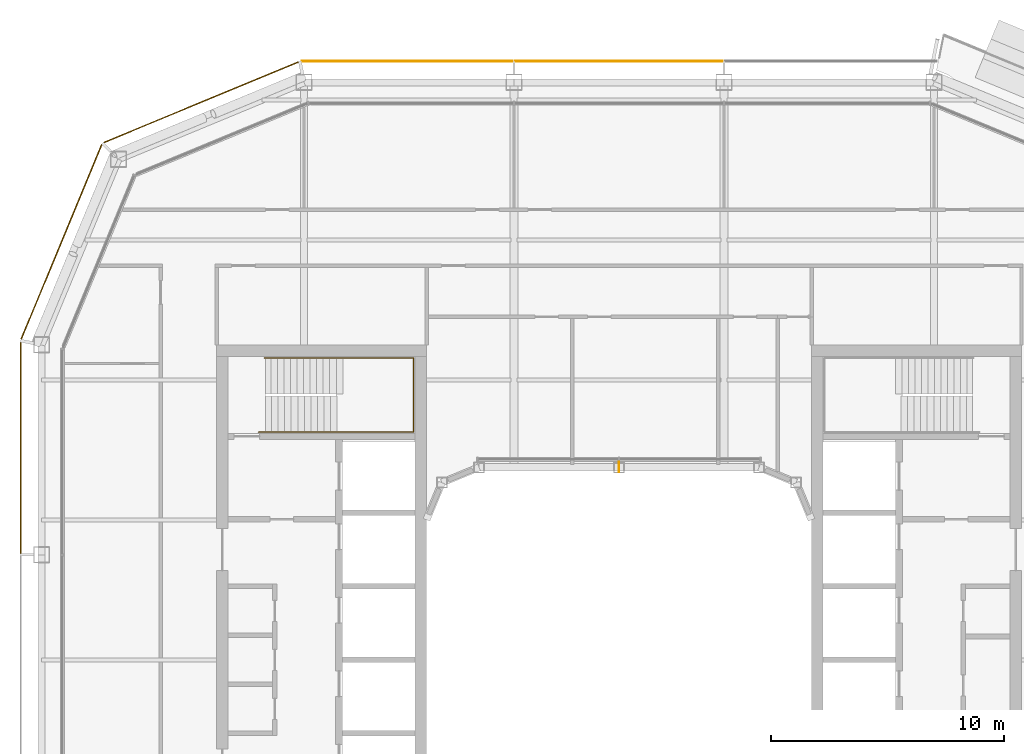
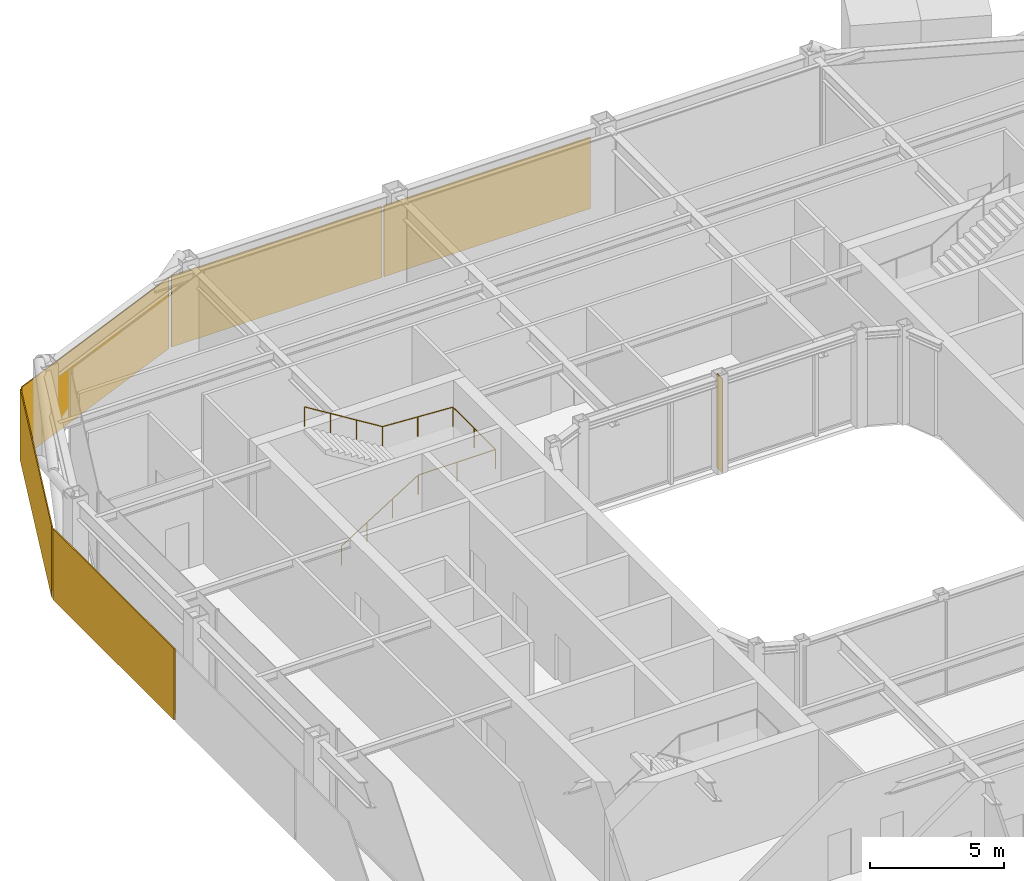
# One storey, part 19 of 21: 5 coverings, 1 railing, 1 shading device.
"""IFC4 building model written with IfcOpenShell, lengths in metres."""

from ifc_helpers import new_model, si_unit, direction, frame, origin, origin_2d, place, context, subcontext, project, spatial, rectangle, circle, extrude, material, layer, layer_set, type_object, element, save


model = new_model("IFC4")

# Units and contexts
model_context = context("Model", 3, precision=1e-05, world=origin(), true_north=direction((0.0, 1.0)))
body_context = subcontext(model_context, "Body", "Model", "MODEL_VIEW")
ifc_project = project(units=[si_unit("LENGTHUNIT", "METRE"), si_unit("AREAUNIT", "SQUARE_METRE"), si_unit("VOLUMEUNIT", "CUBIC_METRE"), si_unit("PLANEANGLEUNIT", "RADIAN"), si_unit("MASSUNIT", "GRAM", prefix="KILO")], contexts=[model_context])

# Site, building, storey
site_placement = place(None, origin())
site = spatial("IfcSite", under=ifc_project, at=site_placement, CompositionType="ELEMENT")
building_placement = place(site_placement, origin())
building = spatial("IfcBuilding", under=site, at=building_placement, Name="Siwar Civic Tower", CompositionType="ELEMENT")
storey_placement = place(building_placement, frame((0.0, 0.0, 343.699951171875)))
storey = spatial("IfcBuildingStorey", under=building, at=storey_placement, Name="L74", CompositionType="ELEMENT", Elevation=343.699951171875)

# Railing
ifc_material_1 = material(Name="Stainless steel", Category="steel")
railing_type = type_object("IfcRailingType", Name="CORE-STAIR-HANDRAIL", PredefinedType="HANDRAIL", material=ifc_material_1)
railing_placement = place(storey_placement, frame((-15.449951171875, 9.758056640625, 0.173095703125)))
element("IfcRailing", 1, at=railing_placement, inside=storey, type_object=railing_type, Name="Stair handrail ST1", PredefinedType="HANDRAIL", context=body_context, shape_type="SweptSolid", body=[
    extrude(circle(Radius=0.02001953125, at=origin_2d()), frame((0.0, 0.0, 0.8798828125), z_axis=(0.847063342986, 0.0, 0.531491950051), x_axis=(0.0, 1.0, 0.0)), (0.0, 0.0, 1.0), 3.90771484375),
    extrude(circle(Radius=0.02001953125, at=origin_2d()), frame((3.31005859375, 0.0, 2.956787109375), z_axis=(1.0, 0.0, 0.0), x_axis=(0.0, 1.0, 0.0)), (0.0, 0.0, 1.0), 3.331787109375),
    extrude(circle(Radius=0.02001953125, at=origin_2d()), frame((6.641845703125, 0.0, 2.956787109375), z_axis=(0.0, 1.0, 0.0), x_axis=(-1.0, 0.0, 0.0)), (0.0, 0.0, 1.0), 3.183837890625),
    extrude(circle(Radius=0.02001953125, at=origin_2d()), frame((6.641845703125, 3.183837890625, 2.956787109375), z_axis=(-0.99837434197, 0.0, 0.056997134106), x_axis=(0.0, -1.0, 0.0)), (0.0, 0.0, 1.0), 3.036865234375),
    extrude(circle(Radius=0.02001953125, at=origin_2d()), frame((3.60986328125, 3.183837890625, 3.1298828125), z_axis=(-0.850606129759, 0.0, 0.525803396734), x_axis=(0.0, -1.0, 0.0)), (0.0, 0.0, 1.0), 3.949951171875),
    extrude(circle(Radius=0.02001953125, at=origin_2d()), origin(), (0.0, 0.0, 1.0), 0.85986328125),
    extrude(circle(Radius=0.02001953125, at=origin_2d()), frame((1.103271484375, 0.0, 0.6923828125)), (0.0, 0.0, 1.0), 0.85986328125),
    extrude(circle(Radius=0.02001953125, at=origin_2d()), frame((2.206787109375, 0.0, 1.384521484375)), (0.0, 0.0, 1.0), 0.85986328125),
    extrude(circle(Radius=0.02001953125, at=origin_2d()), frame((3.31005859375, 0.0, 2.076904296875)), (0.0, 0.0, 1.0), 0.85986328125),
    extrude(circle(Radius=0.02001953125, at=origin_2d()), frame((4.97607421875, 0.0, 2.076904296875)), (0.0, 0.0, 1.0), 0.85986328125),
    extrude(circle(Radius=0.02001953125, at=origin_2d()), frame((6.641845703125, 0.0, 2.076904296875)), (0.0, 0.0, 1.0), 0.85986328125),
    extrude(circle(Radius=0.02001953125, at=origin_2d()), frame((6.641845703125, 1.591796875, 2.076904296875)), (0.0, 0.0, 1.0), 0.85986328125),
    extrude(circle(Radius=0.02001953125, at=origin_2d()), frame((6.641845703125, 3.183837890625, 2.076904296875)), (0.0, 0.0, 1.0), 0.85986328125),
    extrude(circle(Radius=0.02001953125, at=origin_2d()), frame((5.1259765625, 3.183837890625, 2.16357421875)), (0.0, 0.0, 1.0), 0.85986328125),
    extrude(circle(Radius=0.02001953125, at=origin_2d()), frame((3.60986328125, 3.183837890625, 2.25)), (0.0, 0.0, 1.0), 0.85986328125),
    extrude(circle(Radius=0.02001953125, at=origin_2d()), frame((2.489990234375, 3.183837890625, 2.9423828125)), (0.0, 0.0, 1.0), 0.85986328125),
    extrude(circle(Radius=0.02001953125, at=origin_2d()), frame((1.369873046875, 3.183837890625, 3.634521484375)), (0.0, 0.0, 1.0), 0.85986328125),
    extrude(circle(Radius=0.02001953125, at=origin_2d()), frame((0.25, 3.183837890625, 4.326904296875)), (0.0, 0.0, 1.0), 0.85986328125),
])

# Shading device
ifc_material_2 = material(Name="Aluminium 6063-T6", Category="aluminium")
ifc_layer_1 = layer(ifc_material_2, 0.02001953125)
ifc_layer_set_1 = layer_set([ifc_layer_1], Name="Aluminium 6063-T6")
shading_device_type = type_object("IfcShadingDeviceType", Name="ENV-FIN", PredefinedType="JALOUSIE", material=ifc_layer_set_1)
shading_device_placement = place(storey_placement, frame((0.0, 8.27001953125, 0.0), z_axis=(0.0, 0.0, 1.0), x_axis=(-1.0, 0.0, 0.0)))
element("IfcShadingDevice", 2, at=shading_device_placement, inside=storey, type_object=shading_device_type, Name="SUNSHADE fin WN 1", PredefinedType="JALOUSIE", context=body_context, shape_type="SweptSolid", body=[
    extrude(rectangle(XDim=0.02001953125, YDim=0.449951171875, at=origin_2d()), origin(), (0.0, 0.0, 1.0), 4.300048828125),
])

# Coverings
ifc_material_3 = material(Name="Perforated aluminium cassette, pale metal", Category="aluminium")
ifc_layer_2 = layer(ifc_material_3, 0.0400390625)
ifc_layer_set_2 = layer_set([ifc_layer_2], Name="Perforated aluminium cassette, pale metal")
covering_type_1 = type_object("IfcCoveringType", Name="ENV-OUTER SKIN OS-1", PredefinedType="CLADDING", material=ifc_layer_set_2)
covering_1_placement = place(storey_placement, frame((0.0, 25.64990234375, -0.14990234375), z_axis=(0.0, 0.0, 1.0), x_axis=(-1.0, 0.0, 0.0)))
element("IfcCovering", 3, at=covering_1_placement, inside=storey, type_object=covering_type_1, Name="OUTER SKIN OS-1 N 2", PredefinedType="CLADDING", context=body_context, shape_type="SweptSolid", body=[
    extrude(rectangle(XDim=8.89990234375, YDim=0.0400390625, at=origin_2d()), origin(), (0.0, 0.0, 1.0), 3.25),
])
covering_2_placement = place(storey_placement, frame((-9.07958984375, 25.64990234375, -0.14990234375), z_axis=(0.0, 0.0, 1.0), x_axis=(-1.0, 0.0, 0.0)))
element("IfcCovering", 4, at=covering_2_placement, inside=storey, type_object=covering_type_1, Name="OUTER SKIN OS-1 N 3", PredefinedType="CLADDING", context=body_context, shape_type="SweptSolid", body=[
    extrude(rectangle(XDim=9.05908203125, YDim=0.0400390625, at=origin_2d()), origin(), (0.0, 0.0, 1.0), 3.25),
])
covering_3_placement = place(storey_placement, frame((-17.911376953125, 23.89697265625, -0.14990234375), z_axis=(0.0, 0.0, 1.0), x_axis=(-0.923879532511, -0.382683432365, 0.0)))
element("IfcCovering", 5, at=covering_3_placement, inside=storey, type_object=covering_type_1, Name="OUTER SKIN OS-1 NW1 1", PredefinedType="CLADDING", context=body_context, shape_type="SweptSolid", body=[
    extrude(rectangle(XDim=9.022216796875, YDim=0.0400390625, at=origin_2d()), origin(), (0.0, 0.0, 1.0), 3.25),
])
ifc_material_4 = material(Name="Perforated aluminium cassette, pale metal", Category="aluminium")
ifc_layer_3 = layer(ifc_material_4, 0.044921875)
ifc_layer_set_3 = layer_set([ifc_layer_3], Name="Perforated aluminium cassette, pale metal")
covering_type_2 = type_object("IfcCoveringType", Name="ENV-OUTER SKIN OS-2", PredefinedType="CLADDING", material=ifc_layer_set_3)
covering_4_placement = place(storey_placement, frame((-23.89697265625, 17.911376953125, -0.14990234375), z_axis=(0.0, 0.0, 1.0), x_axis=(-0.382683432365, -0.923879532511, 0.0)))
element("IfcCovering", 6, at=covering_4_placement, inside=storey, type_object=covering_type_2, Name="OUTER SKIN OS-2 NW2 1", PredefinedType="CLADDING", context=body_context, shape_type="SweptSolid", body=[
    extrude(rectangle(XDim=9.022216796875, YDim=0.044921875, at=origin_2d()), origin(), (0.0, 0.0, 1.0), 3.25),
])
ifc_material_5 = material(Name="Perforated aluminium cassette, pale metal", Category="aluminium")
ifc_layer_4 = layer(ifc_material_5, 0.050048828125)
ifc_layer_set_4 = layer_set([ifc_layer_4], Name="Perforated aluminium cassette, pale metal")
covering_type_3 = type_object("IfcCoveringType", Name="ENV-OUTER SKIN OS-3", PredefinedType="CLADDING", material=ifc_layer_set_4)
covering_5_placement = place(storey_placement, frame((-25.64990234375, 9.07958984375, -0.14990234375), z_axis=(0.0, 0.0, 1.0), x_axis=(0.0, -1.0, 0.0)))
element("IfcCovering", 7, at=covering_5_placement, inside=storey, type_object=covering_type_3, Name="OUTER SKIN OS-3 W 1", PredefinedType="CLADDING", context=body_context, shape_type="SweptSolid", body=[
    extrude(rectangle(XDim=9.05908203125, YDim=0.050048828125, at=origin_2d()), origin(), (0.0, 0.0, 1.0), 3.25),
])

save(model, "model.ifc")
